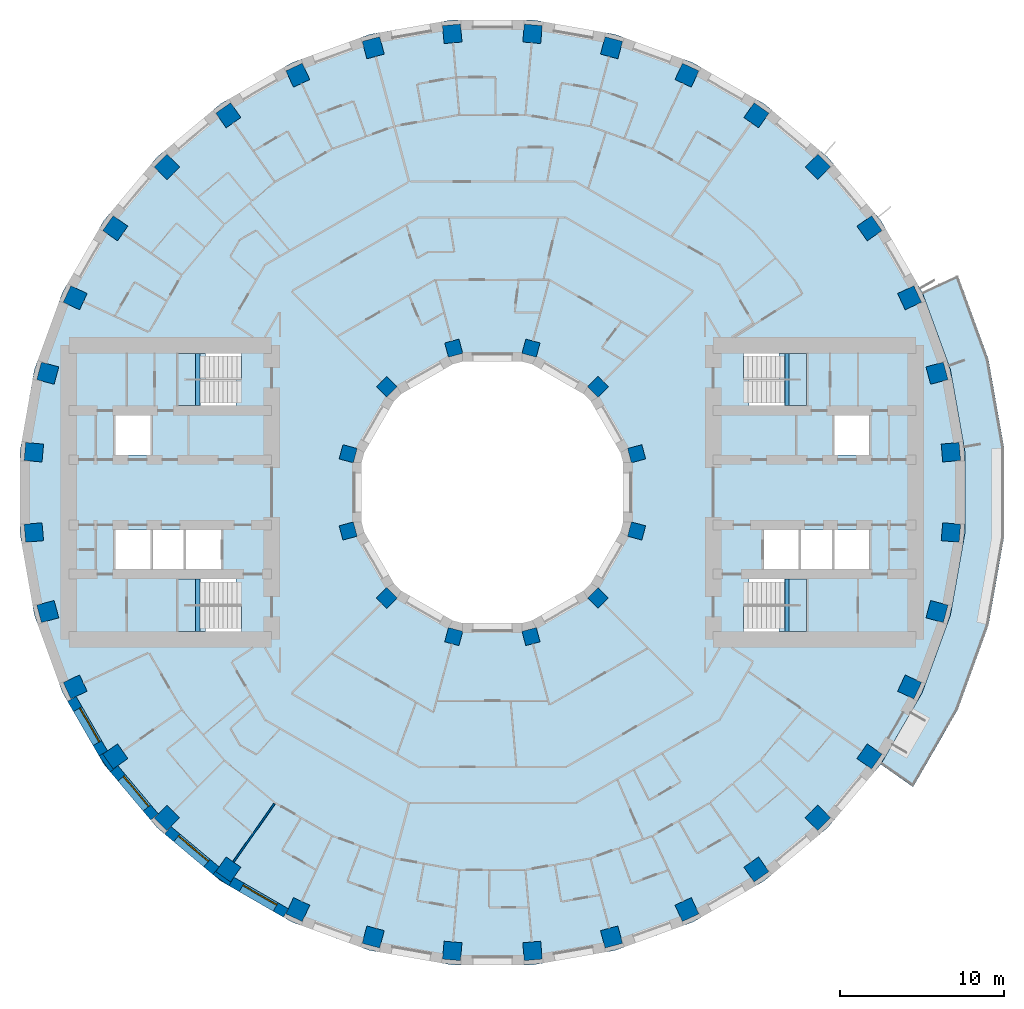
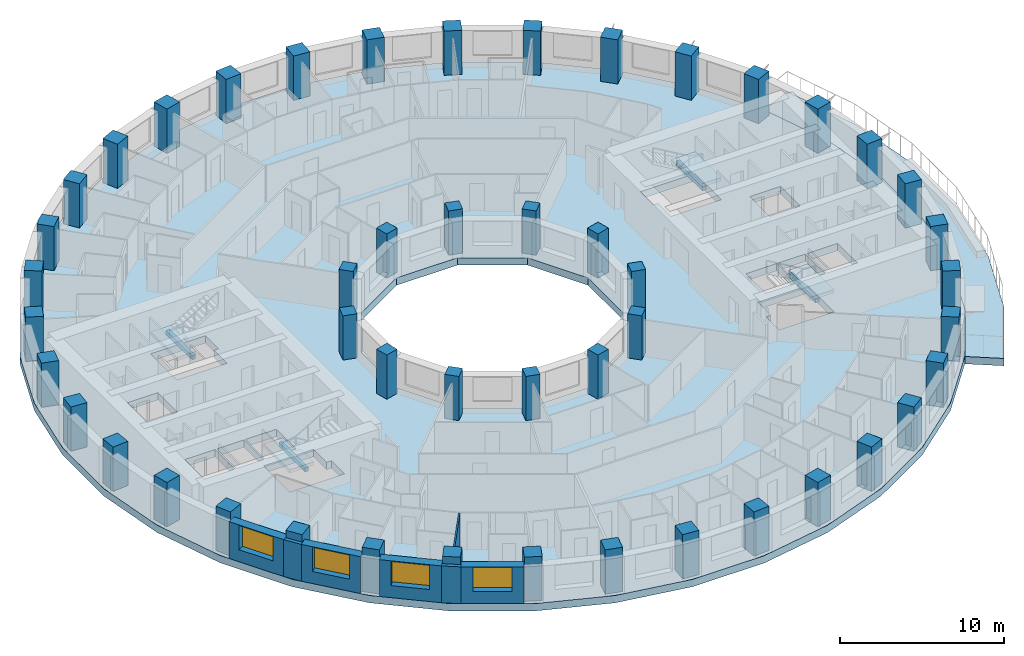
# One storey, part 1 of 14: 48 columns, 7 walls, 6 slabs, 4 beams, 4 windows, 4 openings, 4 elements without a shape of their own.
"""IFC4 building model written with IfcOpenShell, lengths in metres."""

from ifc_helpers import new_model, si_unit, direction, frame, frame_2d, origin, origin_2d, place, context, subcontext, project, spatial, polyline, rectangle, outline, extrude, material, layer, layer_set, material_profile, profile_set, type_object, element, fill, aggregate, save


model = new_model("IFC4")

# Units and contexts
model_context = context("Model", 3, precision=1e-05, world=origin(), true_north=direction((0.0, 1.0)))
body_context = subcontext(model_context, "Body", "Model", "MODEL_VIEW")
ifc_project = project(units=[si_unit("LENGTHUNIT", "METRE"), si_unit("AREAUNIT", "SQUARE_METRE"), si_unit("VOLUMEUNIT", "CUBIC_METRE"), si_unit("PLANEANGLEUNIT", "RADIAN"), si_unit("MASSUNIT", "GRAM", prefix="KILO")], contexts=[model_context])

# Site, building, storey
site_placement = place(None, origin())
site = spatial("IfcSite", under=ifc_project, at=site_placement, CompositionType="ELEMENT")
building_placement = place(site_placement, origin())
building = spatial("IfcBuilding", under=site, at=building_placement, Name="Saqina Gate Tower", CompositionType="ELEMENT")
storey_placement = place(building_placement, frame((0.0, 0.0, 52.699951171875)))
storey = spatial("IfcBuildingStorey", under=building, at=storey_placement, Name="L14", CompositionType="ELEMENT", Elevation=52.699951171875)

# Columns
ifc_material_1 = material(Name="Concrete C70/85", Category="concrete")
ifc_material_profile_1 = material_profile(ifc_material_1, rectangle(XDim=0.89990234375, YDim=0.89990234375, at=origin_2d()), Name="RC 900x900")
ifc_profile_set_1 = profile_set([ifc_material_profile_1], Name="Concrete C70/85")
column_type_1 = type_object("IfcColumnType", Name="STR-COL-IN-A", PredefinedType="COLUMN", material=ifc_profile_set_1)
for number, where, z_axis, x_axis, name in (
    (1, (8.821044921875, 2.363525390625, 0.0), (0.0, 0.0, 1.0), (0.965925826289, 0.258819045103, 0.0), "L14-ICL01"),
    (2, (6.45751953125, 6.45751953125, 0.0), (0.0, 0.0, 1.0), (0.707106781187, 0.707106781187, 0.0), "L14-ICL02"),
    (3, (2.363525390625, 8.821044921875, 0.0), (0.0, 0.0, 1.0), (0.258819045103, 0.965925826289, 0.0), "L14-ICL03"),
    (4, (-2.363525390625, 8.821044921875, 0.0), (0.0, 0.0, 1.0), (-0.258819045103, 0.965925826289, 0.0), "L14-ICL04"),
    (5, (-6.45751953125, 6.45751953125, 0.0), (0.0, 0.0, 1.0), (-0.707106781187, 0.707106781187, 0.0), "L14-ICL05"),
    (6, (-8.821044921875, 2.363525390625, 0.0), (0.0, 0.0, 1.0), (-0.965925826289, 0.258819045103, 0.0), "L14-ICL06"),
    (7, (-8.821044921875, -2.363525390625, 0.0), (0.0, 0.0, 1.0), (-0.965925826289, -0.258819045103, 0.0), "L14-ICL07"),
    (8, (-6.45751953125, -6.45751953125, 0.0), (0.0, 0.0, 1.0), (-0.707106781187, -0.707106781187, 0.0), "L14-ICL08"),
    (9, (-2.363525390625, -8.821044921875, 0.0), (0.0, 0.0, 1.0), (-0.258819045103, -0.965925826289, 0.0), "L14-ICL09"),
    (10, (2.363525390625, -8.821044921875, 0.0), (0.0, 0.0, 1.0), (0.258819045103, -0.965925826289, 0.0), "L14-ICL10"),
    (11, (6.45751953125, -6.45751953125, 0.0), (0.0, 0.0, 1.0), (0.707106781187, -0.707106781187, 0.0), "L14-ICL11"),
    (12, (8.821044921875, -2.363525390625, 0.0), (0.0, 0.0, 1.0), (0.965925826289, -0.258819045103, 0.0), "L14-ICL12"),
):
    element("IfcColumn", number, at=place(storey_placement, frame(where, z_axis=z_axis, x_axis=x_axis)), inside=storey, type_object=column_type_1, Name=name, PredefinedType="COLUMN", context=body_context, shape_type="SweptSolid", body=[
        extrude(rectangle(XDim=0.89990234375, YDim=0.89990234375, at=origin_2d()), origin(), (0.0, 0.0, 1.0), 3.300048828125),
    ])
ifc_material_2 = material(Name="Concrete C70/85", Category="concrete")
ifc_material_profile_2 = material_profile(ifc_material_2, rectangle(XDim=1.10009765625, YDim=1.10009765625, at=origin_2d()), Name="RC 1100x1100")
ifc_profile_set_2 = profile_set([ifc_material_profile_2], Name="Concrete C70/85")
column_type_2 = type_object("IfcColumnType", Name="STR-COL-OUT-A", PredefinedType="COLUMN", material=ifc_profile_set_2)
for number, where, z_axis, x_axis, name in (
    (13, (28.04296875, 2.453369140625, 0.0), (0.0, 0.0, 1.0), (0.996194698092, 0.087155742748, 0.0), "L14-COL01"),
    (14, (27.19091796875, 7.28564453125, 0.0), (0.0, 0.0, 1.0), (0.965925826289, 0.258819045103, 0.0), "L14-COL02"),
    (15, (25.512451171875, 11.896728515625, 0.0), (0.0, 0.0, 1.0), (0.906307787037, 0.422618261741, 0.0), "L14-COL03"),
    (16, (23.05908203125, 16.146240234375, 0.0), (0.0, 0.0, 1.0), (0.819152044289, 0.573576436351, 0.0), "L14-COL04"),
    (17, (19.905029296875, 19.905029296875, 0.0), (0.0, 0.0, 1.0), (0.707106781187, 0.707106781187, 0.0), "L14-COL05"),
    (18, (16.146240234375, 23.05908203125, 0.0), (0.0, 0.0, 1.0), (0.573576436351, 0.819152044289, 0.0), "L14-COL06"),
    (19, (11.896728515625, 25.512451171875, 0.0), (0.0, 0.0, 1.0), (0.422618261741, 0.906307787037, 0.0), "L14-COL07"),
    (20, (7.28564453125, 27.19091796875, 0.0), (0.0, 0.0, 1.0), (0.258819045103, 0.965925826289, 0.0), "L14-COL08"),
    (21, (2.453369140625, 28.04296875, 0.0), (0.0, 0.0, 1.0), (0.087155742748, 0.996194698092, 0.0), "L14-COL09"),
    (22, (-2.453369140625, 28.04296875, 0.0), (0.0, 0.0, 1.0), (-0.087155742748, 0.996194698092, 0.0), "L14-COL10"),
    (23, (-7.28564453125, 27.19091796875, 0.0), (0.0, 0.0, 1.0), (-0.258819045103, 0.965925826289, 0.0), "L14-COL11"),
    (24, (-11.896728515625, 25.512451171875, 0.0), (0.0, 0.0, 1.0), (-0.422618261741, 0.906307787037, 0.0), "L14-COL12"),
    (25, (-16.146240234375, 23.05908203125, 0.0), (0.0, 0.0, 1.0), (-0.573576436351, 0.819152044289, 0.0), "L14-COL13"),
    (26, (-19.905029296875, 19.905029296875, 0.0), (0.0, 0.0, 1.0), (-0.707106781187, 0.707106781187, 0.0), "L14-COL14"),
    (27, (-23.05908203125, 16.146240234375, 0.0), (0.0, 0.0, 1.0), (-0.819152044289, 0.573576436351, 0.0), "L14-COL15"),
    (28, (-25.512451171875, 11.896728515625, 0.0), (0.0, 0.0, 1.0), (-0.906307787037, 0.422618261741, 0.0), "L14-COL16"),
    (29, (-27.19091796875, 7.28564453125, 0.0), (0.0, 0.0, 1.0), (-0.965925826289, 0.258819045103, 0.0), "L14-COL17"),
    (30, (-28.04296875, 2.453369140625, 0.0), (0.0, 0.0, 1.0), (-0.996194698092, 0.087155742748, 0.0), "L14-COL18"),
    (31, (-28.04296875, -2.453369140625, 0.0), (0.0, 0.0, 1.0), (-0.996194698092, -0.087155742748, 0.0), "L14-COL19"),
    (32, (-27.19091796875, -7.28564453125, 0.0), (0.0, 0.0, 1.0), (-0.965925826289, -0.258819045103, 0.0), "L14-COL20"),
    (33, (-25.512451171875, -11.896728515625, 0.0), (0.0, 0.0, 1.0), (-0.906307787037, -0.422618261741, 0.0), "L14-COL21"),
    (34, (-23.05908203125, -16.146240234375, 0.0), (0.0, 0.0, 1.0), (-0.819152044289, -0.573576436351, 0.0), "L14-COL22"),
    (35, (-19.905029296875, -19.905029296875, 0.0), (0.0, 0.0, 1.0), (-0.707106781187, -0.707106781187, 0.0), "L14-COL23"),
    (36, (-16.146240234375, -23.05908203125, 0.0), (0.0, 0.0, 1.0), (-0.573576436351, -0.819152044289, 0.0), "L14-COL24"),
    (37, (-11.896728515625, -25.512451171875, 0.0), (0.0, 0.0, 1.0), (-0.422618261741, -0.906307787037, 0.0), "L14-COL25"),
    (38, (-7.28564453125, -27.19091796875, 0.0), (0.0, 0.0, 1.0), (-0.258819045103, -0.965925826289, 0.0), "L14-COL26"),
    (39, (-2.453369140625, -28.04296875, 0.0), (0.0, 0.0, 1.0), (-0.087155742748, -0.996194698092, 0.0), "L14-COL27"),
    (40, (2.453369140625, -28.04296875, 0.0), (0.0, 0.0, 1.0), (0.087155742748, -0.996194698092, 0.0), "L14-COL28"),
    (41, (7.28564453125, -27.19091796875, 0.0), (0.0, 0.0, 1.0), (0.258819045103, -0.965925826289, 0.0), "L14-COL29"),
    (42, (11.896728515625, -25.512451171875, 0.0), (0.0, 0.0, 1.0), (0.422618261741, -0.906307787037, 0.0), "L14-COL30"),
    (43, (16.146240234375, -23.05908203125, 0.0), (0.0, 0.0, 1.0), (0.573576436351, -0.819152044289, 0.0), "L14-COL31"),
    (44, (19.905029296875, -19.905029296875, 0.0), (0.0, 0.0, 1.0), (0.707106781187, -0.707106781187, 0.0), "L14-COL32"),
    (45, (23.05908203125, -16.146240234375, 0.0), (0.0, 0.0, 1.0), (0.819152044289, -0.573576436351, 0.0), "L14-COL33"),
    (46, (25.512451171875, -11.896728515625, 0.0), (0.0, 0.0, 1.0), (0.906307787037, -0.422618261741, 0.0), "L14-COL34"),
    (47, (27.19091796875, -7.28564453125, 0.0), (0.0, 0.0, 1.0), (0.965925826289, -0.258819045103, 0.0), "L14-COL35"),
    (48, (28.04296875, -2.453369140625, 0.0), (0.0, 0.0, 1.0), (0.996194698092, -0.087155742748, 0.0), "L14-COL36"),
):
    element("IfcColumn", number, at=place(storey_placement, frame(where, z_axis=z_axis, x_axis=x_axis)), inside=storey, type_object=column_type_2, Name=name, PredefinedType="COLUMN", context=body_context, shape_type="SweptSolid", body=[
        extrude(rectangle(XDim=1.10009765625, YDim=1.10009765625, at=origin_2d()), origin(), (0.0, 0.0, 1.0), 3.300048828125),
    ])

# Beams
ifc_material_3 = material(Name="Concrete C40/50", Category="concrete")
ifc_material_profile_3 = material_profile(ifc_material_3, rectangle(XDim=0.25, YDim=0.300048828125, at=origin_2d()), Name="STAIR LANDING BEAM")
ifc_profile_set_3 = profile_set([ifc_material_profile_3], Name="Concrete C40/50")
beam_type = type_object("IfcBeamType", Name="STAIR LANDING BEAM", PredefinedType="BEAM", material=ifc_profile_set_3)
for number, where, z_axis, x_axis, name in (
    (49, (18.02001953125, 5.300048828125, 1.25), (0.0, 1.0, 0.0), (-1.0, 0.0, 0.0), "EXIT STAIR 1 LANDING BEAM"),
    (50, (18.02001953125, -8.5, 1.25), (0.0, 1.0, 0.0), (-1.0, 0.0, 0.0), "EXIT STAIR 2 LANDING BEAM"),
    (51, (-18.02001953125, 5.300048828125, 1.25), (0.0, 1.0, 0.0), (-1.0, 0.0, 0.0), "EXIT STAIR 3 LANDING BEAM"),
    (52, (-18.02001953125, -8.5, 1.25), (0.0, 1.0, 0.0), (-1.0, 0.0, 0.0), "EXIT STAIR 4 LANDING BEAM"),
):
    element("IfcBeam", number, at=place(storey_placement, frame(where, z_axis=z_axis, x_axis=x_axis)), inside=storey, type_object=beam_type, Name=name, PredefinedType="BEAM", context=body_context, shape_type="SweptSolid", body=[
        extrude(rectangle(XDim=0.25, YDim=0.300048828125, at=origin_2d()), origin(), (0.0, 0.0, 1.0), 3.199951171875),
    ])

# Stair, slab
ifc_material_4 = material(Name="Concrete C40/50", Category="concrete")
stair_type = type_object("IfcStairType", Name="EXIT STAIR", PredefinedType="HALF_TURN_STAIR", material=ifc_material_4)
stair_1_placement = place(storey_placement, origin())
stair_1 = element("IfcStair", 53, at=stair_1_placement, inside=storey, type_object=stair_type, Name="EXIT STAIR 1", PredefinedType="HALF_TURN_STAIR")
ifc_material_5 = material(Name="Concrete C40/50", Category="concrete")
ifc_layer_1 = layer(ifc_material_5, 0.25)
ifc_layer_set_1 = layer_set([ifc_layer_1], Name="Concrete C40/50")
slab_type_1 = type_object("IfcSlabType", Name="EXIT STAIR LANDING", PredefinedType="LANDING", material=ifc_layer_set_1)
slab_1_placement = place(storey_placement, frame((0.0, 0.0, 1.400146484375)))
slab_1 = element("IfcSlab", 54, at=slab_1_placement, type_object=slab_type_1, Name="EXIT STAIR 1 LANDING 1", PredefinedType="LANDING", context=body_context, shape_type="SweptSolid", body=[
    extrude(outline(polyline([(19.219970703125, 8.5), (19.219970703125, 5.300048828125), (17.864990234375, 5.300048828125), (17.864990234375, 6.89990234375), (17.534423828125, 6.89990234375), (17.534423828125, 8.5), (17.864990234375, 8.5), (17.8701171875, 8.5), (19.219970703125, 8.5)])), origin(), (0.0, 0.0, 1.0), 0.25),
])
aggregate(stair_1, [slab_1])

stair_2_placement = place(storey_placement, origin())
stair_2 = element("IfcStair", 55, at=stair_2_placement, inside=storey, type_object=stair_type, Name="EXIT STAIR 2", PredefinedType="HALF_TURN_STAIR")
slab_2_placement = place(storey_placement, frame((0.0, 0.0, 1.400146484375)))
slab_2 = element("IfcSlab", 56, at=slab_2_placement, type_object=slab_type_1, Name="EXIT STAIR 2 LANDING 1", PredefinedType="LANDING", context=body_context, shape_type="SweptSolid", body=[
    extrude(outline(polyline([(17.534423828125, -8.5), (17.534423828125, -6.89990234375), (17.864990234375, -6.89990234375), (17.864990234375, -5.300048828125), (19.219970703125, -5.300048828125), (19.219970703125, -8.5), (17.8701171875, -8.5), (17.864990234375, -8.5), (17.534423828125, -8.5)])), origin(), (0.0, 0.0, 1.0), 0.25),
])
aggregate(stair_2, [slab_2])

stair_3_placement = place(storey_placement, origin())
stair_3 = element("IfcStair", 57, at=stair_3_placement, inside=storey, type_object=stair_type, Name="EXIT STAIR 3", PredefinedType="HALF_TURN_STAIR")
slab_3_placement = place(storey_placement, frame((0.0, 0.0, 1.400146484375)))
slab_3 = element("IfcSlab", 58, at=slab_3_placement, type_object=slab_type_1, Name="EXIT STAIR 3 LANDING 1", PredefinedType="LANDING", context=body_context, shape_type="SweptSolid", body=[
    extrude(outline(polyline([(-17.864990234375, 5.300048828125), (-19.219970703125, 5.300048828125), (-19.219970703125, 8.5), (-17.8701171875, 8.5), (-17.864990234375, 8.5), (-17.534423828125, 8.5), (-17.534423828125, 6.89990234375), (-17.864990234375, 6.89990234375), (-17.864990234375, 5.300048828125)])), origin(), (0.0, 0.0, 1.0), 0.25),
])
aggregate(stair_3, [slab_3])

stair_4_placement = place(storey_placement, origin())
stair_4 = element("IfcStair", 59, at=stair_4_placement, inside=storey, type_object=stair_type, Name="EXIT STAIR 4", PredefinedType="HALF_TURN_STAIR")
slab_4_placement = place(storey_placement, frame((0.0, 0.0, 1.400146484375)))
slab_4 = element("IfcSlab", 60, at=slab_4_placement, type_object=slab_type_1, Name="EXIT STAIR 4 LANDING 1", PredefinedType="LANDING", context=body_context, shape_type="SweptSolid", body=[
    extrude(outline(polyline([(-17.534423828125, -6.89990234375), (-17.534423828125, -8.5), (-17.864990234375, -8.5), (-17.8701171875, -8.5), (-19.219970703125, -8.5), (-19.219970703125, -5.300048828125), (-17.864990234375, -5.300048828125), (-17.864990234375, -6.89990234375), (-17.534423828125, -6.89990234375)])), origin(), (0.0, 0.0, 1.0), 0.25),
])
aggregate(stair_4, [slab_4])

# Slabs
ifc_material_6 = material(Name="Concrete C40/50", Category="concrete")
ifc_layer_2 = layer(ifc_material_6, 0.550048828125)
ifc_layer_set_2 = layer_set([ifc_layer_2], Name="Concrete C40/50")
slab_type_2 = type_object("IfcSlabType", Name="STR-POST-TENSIONED FLAT PLATE FLOOR-550", PredefinedType="FLOOR", material=ifc_layer_set_2)
slab_5_placement = place(storey_placement, frame((0.0, 0.0, -0.550048828125)))
element("IfcSlab", 61, at=slab_5_placement, inside=storey, type_object=slab_type_2, Name="L14-SLB01", PredefinedType="FLOOR", context=body_context, shape_type="SweptSolid", body=[
    extrude(outline(polyline([(28.011962890625, -7.505859375), (28.8896484375, -2.527587890625), (28.8896484375, 2.527587890625), (28.011962890625, 7.505859375), (26.282958984375, 12.255859375), (23.75537109375, 16.6337890625), (20.506103515625, 20.506103515625), (16.6337890625, 23.75537109375), (12.255859375, 26.282958984375), (7.505859375, 28.011962890625), (2.527587890625, 28.8896484375), (-2.527587890625, 28.8896484375), (-7.505859375, 28.011962890625), (-12.255859375, 26.282958984375), (-16.6337890625, 23.75537109375), (-20.506103515625, 20.506103515625), (-23.75537109375, 16.6337890625), (-26.282958984375, 12.255859375), (-28.011962890625, 7.505859375), (-28.8896484375, 2.527587890625), (-28.8896484375, -2.527587890625), (-28.011962890625, -7.505859375), (-26.282958984375, -12.255859375), (-23.75537109375, -16.6337890625), (-20.506103515625, -20.506103515625), (-16.6337890625, -23.75537109375), (-12.255859375, -26.282958984375), (-7.505859375, -28.011962890625), (-2.527587890625, -28.8896484375), (2.527587890625, -28.8896484375), (7.505859375, -28.011962890625), (12.255859375, -26.282958984375), (16.6337890625, -23.75537109375), (20.506103515625, -20.506103515625), (23.75537109375, -16.6337890625), (26.282958984375, -12.255859375), (28.011962890625, -7.505859375)]), holes=[polyline([(2.1435546875, 8.0), (5.8564453125, 5.8564453125), (8.0, 2.1435546875), (8.0, -2.1435546875), (5.8564453125, -5.8564453125), (2.1435546875, -8.0), (-2.1435546875, -8.0), (-5.8564453125, -5.8564453125), (-8.0, -2.1435546875), (-8.0, 2.1435546875), (-5.8564453125, 5.8564453125), (-2.1435546875, 8.0), (2.1435546875, 8.0)]), polyline([(-19.219970703125, -8.5), (-19.219970703125, -6.89990234375), (-19.219970703125, -5.300048828125), (-15.685546875, -5.300048828125), (-15.685546875, -6.89990234375), (-15.35498046875, -6.89990234375), (-15.35498046875, -8.5), (-19.219970703125, -8.5)]), polyline([(-20.89990234375, -2.300048828125), (-20.89990234375, -4.699951171875), (-23.06005859375, -4.699951171875), (-23.06005859375, -2.300048828125), (-20.89990234375, -2.300048828125)]), polyline([(-18.8701171875, -2.300048828125), (-18.8701171875, -4.699951171875), (-20.780029296875, -4.699951171875), (-20.780029296875, -2.300048828125), (-18.8701171875, -2.300048828125)]), polyline([(-16.590087890625, -2.300048828125), (-16.590087890625, -4.699951171875), (-18.75, -4.699951171875), (-18.75, -2.300048828125), (-16.590087890625, -2.300048828125)]), polyline([(-20.89990234375, 4.699951171875), (-20.89990234375, 2.300048828125), (-23.06005859375, 2.300048828125), (-23.06005859375, 4.699951171875), (-20.89990234375, 4.699951171875)]), polyline([(-19.219970703125, 6.89990234375), (-19.219970703125, 8.5), (-15.35498046875, 8.5), (-15.35498046875, 6.89990234375), (-15.685546875, 6.89990234375), (-15.685546875, 5.300048828125), (-19.219970703125, 5.300048828125), (-19.219970703125, 6.89990234375)]), polyline([(15.35498046875, -6.89990234375), (15.685546875, -6.89990234375), (15.685546875, -5.300048828125), (19.219970703125, -5.300048828125), (19.219970703125, -6.89990234375), (19.219970703125, -8.5), (15.35498046875, -8.5), (15.35498046875, -6.89990234375)]), polyline([(18.75, -2.300048828125), (18.75, -4.699951171875), (16.590087890625, -4.699951171875), (16.590087890625, -2.300048828125), (18.75, -2.300048828125)]), polyline([(20.780029296875, -2.300048828125), (20.780029296875, -4.699951171875), (18.8701171875, -4.699951171875), (18.8701171875, -2.300048828125), (20.780029296875, -2.300048828125)]), polyline([(23.06005859375, -2.300048828125), (23.06005859375, -4.699951171875), (20.89990234375, -4.699951171875), (20.89990234375, -2.300048828125), (23.06005859375, -2.300048828125)]), polyline([(23.06005859375, 4.699951171875), (23.06005859375, 2.300048828125), (20.89990234375, 2.300048828125), (20.89990234375, 4.699951171875), (23.06005859375, 4.699951171875)]), polyline([(15.685546875, 6.89990234375), (15.35498046875, 6.89990234375), (15.35498046875, 8.5), (19.219970703125, 8.5), (19.219970703125, 6.89990234375), (19.219970703125, 5.300048828125), (15.685546875, 5.300048828125), (15.685546875, 6.89990234375)])]), origin(), (0.0, 0.0, 1.0), 0.550048828125),
])
ifc_material_7 = material(Name="Concrete C40/50", Category="concrete")
ifc_layer_3 = layer(ifc_material_7, 0.550048828125)
ifc_layer_set_3 = layer_set([ifc_layer_3], Name="Concrete C40/50")
slab_type_3 = type_object("IfcSlabType", Name="STR-POST-TENSIONED FLAT PLATE TERRACE-550", PredefinedType="FLOOR", material=ifc_layer_set_3)
slab_6_placement = place(storey_placement, frame((0.0, 0.0, -0.550048828125)))
element("IfcSlab", 62, at=slab_6_placement, inside=storey, type_object=slab_type_3, Name="L14-TRS01", PredefinedType="FLOOR", context=body_context, shape_type="SweptSolid", body=[
    extrude(outline(polyline([(23.75537109375, -16.6337890625), (26.282958984375, -12.255859375), (28.011962890625, -7.505859375), (28.8896484375, -2.527587890625), (28.8896484375, 2.527587890625), (28.011962890625, 7.505859375), (26.282958984375, 12.255859375), (28.46630859375, 13.274169921875), (30.3388671875, 8.12939453125), (31.28955078125, 2.737548828125), (31.28955078125, -2.737548828125), (30.3388671875, -8.12939453125), (28.46630859375, -13.274169921875), (25.72900390625, -18.015625), (23.75537109375, -16.6337890625)])), origin(), (0.0, 0.0, 1.0), 0.550048828125),
])

# Walls
ifc_material_8 = material(Name="Brick masonry (red)", Category="masonry")
wall_type_1 = type_object("IfcWallType", Name="BRICK PIER COPING RED", PredefinedType="SOLIDWALL", material=ifc_material_8)
wall_1_placement = place(storey_placement, origin())
element("IfcWall", 63, at=wall_1_placement, inside=storey, type_object=wall_type_1, Name="Pier cap L14 column 22", PredefinedType="SOLIDWALL", context=body_context, shape_type="SweptSolid", body=[
    extrude(outline(polyline([(-24.0576171875, -16.110107421875), (-23.36669921875, -17.096923828125), (-22.9072265625, -16.711181640625), (-23.194091796875, -16.912109375), (-23.8251953125, -16.010986328125), (-23.5380859375, -15.81005859375), (-24.0576171875, -16.110107421875)])), origin(), (0.0, 0.0, 1.0), 2.75),
])
wall_2_placement = place(storey_placement, origin())
element("IfcWall", 64, at=wall_2_placement, inside=storey, type_object=wall_type_1, Name="Pier cap L14 column 24", PredefinedType="SOLIDWALL", context=body_context, shape_type="SweptSolid", body=[
    extrude(outline(polyline([(-17.096923828125, -23.36669921875), (-16.110107421875, -24.0576171875), (-15.81005859375, -23.5380859375), (-16.010986328125, -23.8251953125), (-16.912109375, -23.194091796875), (-16.711181640625, -22.9072265625), (-17.096923828125, -23.36669921875)])), origin(), (0.0, 0.0, 1.0), 2.75),
])

# Wall, opening, window
ifc_material_9 = material(Name="Brick masonry (red)", Category="masonry")
ifc_layer_4 = layer(ifc_material_9, 0.60009765625)
ifc_layer_set_4 = layer_set([ifc_layer_4], Name="FW-BRICK-RED")
wall_type_2 = type_object("IfcWallType", Name="FW-BRICK-RED", PredefinedType="SOLIDWALL", material=ifc_layer_set_4)
wall_3_placement = place(storey_placement, frame((-25.720703125, -12.629638671875, 0.0), z_axis=(0.0, 0.0, 1.0), x_axis=(0.499989888488, -0.86603124159, 0.0)))
wall_3 = element("IfcWall", 65, at=wall_3_placement, inside=storey, type_object=wall_type_2, Name="Facade wall L14 facet 21", PredefinedType="SOLIDWALL", context=body_context, shape_type="SweptSolid", body=[
    extrude(rectangle(XDim=3.845703125, YDim=0.60009765625, at=frame_2d((1.9228515625, 0.0))), origin(), (0.0, 0.0, 1.0), 2.75),
])
opening_1_placement = place(wall_3_placement, frame((0.722900390625, 0.0, 0.89990234375)))
opening_1 = element("IfcOpeningElement", 66, at=opening_1_placement, cuts=wall_3, Name="Opening G03-W14", PredefinedType="OPENING", context=body_context, shape_type="SweptSolid", body=[
    extrude(rectangle(XDim=2.39990234375, YDim=1.800048828125, at=frame_2d((1.199951171875, 0.89990234375))), frame((0.0, 0.31201171875, 0.0), z_axis=(0.0, -1.0, 0.0), x_axis=(1.0, 0.0, 0.0)), (0.0, 0.0, 1.0), 0.6240234375),
])
ifc_material_10 = material(Name="Aluminium glazing", Category="aluminium")
window_type = type_object("IfcWindowType", Name="WN-A", PartitioningType="SINGLE_PANEL", PredefinedType="WINDOW", material=ifc_material_10)
window_1_placement = place(opening_1_placement, origin())
window_1 = element("IfcWindow", 67, at=window_1_placement, inside=storey, type_object=window_type, Name="Window L14 facet 21", OverallHeight=1.800048828125, OverallWidth=2.39990234375, PartitioningType="SINGLE_PANEL", PredefinedType="WINDOW", context=body_context, shape_type="SweptSolid", body=[
    extrude(rectangle(XDim=2.39990234375, YDim=1.800048828125, at=frame_2d((1.199951171875, 0.89990234375))), frame((0.0, 0.179931640625, 0.0), z_axis=(0.0, -1.0, 0.0), x_axis=(1.0, 0.0, 0.0)), (0.0, 0.0, 1.0), 0.06005859375),
])
fill(opening_1, window_1)

wall_4_placement = place(storey_placement, frame((-23.136962890625, -16.904052734375, 0.0), z_axis=(0.0, 0.0, 1.0), x_axis=(0.642809392687, -0.766026164483, 0.0)))
wall_4 = element("IfcWall", 68, at=wall_4_placement, inside=storey, type_object=wall_type_2, Name="Facade wall L14 facet 22", PredefinedType="SOLIDWALL", context=body_context, shape_type="SweptSolid", body=[
    extrude(rectangle(XDim=3.845947265625, YDim=0.60009765625, at=frame_2d((1.9228515625, 0.0))), origin(), (0.0, 0.0, 1.0), 2.75),
])
opening_2_placement = place(wall_4_placement, frame((0.722900390625, 0.0, 0.89990234375)))
opening_2 = element("IfcOpeningElement", 69, at=opening_2_placement, cuts=wall_4, Name="Opening G03-W15", PredefinedType="OPENING", context=body_context, shape_type="SweptSolid", body=[
    extrude(rectangle(XDim=2.39990234375, YDim=1.800048828125, at=frame_2d((1.199951171875, 0.89990234375))), frame((0.0, 0.31201171875, 0.0), z_axis=(0.0, -1.0, 0.0), x_axis=(1.0, 0.0, 0.0)), (0.0, 0.0, 1.0), 0.6240234375),
])
window_2_placement = place(opening_2_placement, origin())
window_2 = element("IfcWindow", 70, at=window_2_placement, inside=storey, type_object=window_type, Name="Window L14 facet 22", OverallHeight=1.800048828125, OverallWidth=2.39990234375, PartitioningType="SINGLE_PANEL", PredefinedType="WINDOW", context=body_context, shape_type="SweptSolid", body=[
    extrude(rectangle(XDim=2.39990234375, YDim=1.800048828125, at=frame_2d((1.199951171875, 0.89990234375))), frame((0.0, 0.179931640625, 0.0), z_axis=(0.0, -1.0, 0.0), x_axis=(1.0, 0.0, 0.0)), (0.0, 0.0, 1.0), 0.06005859375),
])
fill(opening_2, window_2)

wall_5_placement = place(storey_placement, frame((-19.85009765625, -20.664794921875, 0.0), z_axis=(0.0, 0.0, 1.0), x_axis=(0.766026164483, -0.642809392687, 0.0)))
wall_5 = element("IfcWall", 71, at=wall_5_placement, inside=storey, type_object=wall_type_2, Name="Facade wall L14 facet 23", PredefinedType="SOLIDWALL", context=body_context, shape_type="SweptSolid", body=[
    extrude(rectangle(XDim=3.845947265625, YDim=0.60009765625, at=frame_2d((1.9228515625, 0.0))), origin(), (0.0, 0.0, 1.0), 2.75),
])
opening_3_placement = place(wall_5_placement, frame((0.722900390625, 0.0, 0.89990234375)))
opening_3 = element("IfcOpeningElement", 72, at=opening_3_placement, cuts=wall_5, Name="Opening G03-W16", PredefinedType="OPENING", context=body_context, shape_type="SweptSolid", body=[
    extrude(rectangle(XDim=2.39990234375, YDim=1.800048828125, at=frame_2d((1.199951171875, 0.89990234375))), frame((0.0, 0.31201171875, 0.0), z_axis=(0.0, -1.0, 0.0), x_axis=(1.0, 0.0, 0.0)), (0.0, 0.0, 1.0), 0.6240234375),
])
window_3_placement = place(opening_3_placement, origin())
window_3 = element("IfcWindow", 73, at=window_3_placement, inside=storey, type_object=window_type, Name="Window L14 facet 23", OverallHeight=1.800048828125, OverallWidth=2.39990234375, PartitioningType="SINGLE_PANEL", PredefinedType="WINDOW", context=body_context, shape_type="SweptSolid", body=[
    extrude(rectangle(XDim=2.39990234375, YDim=1.800048828125, at=frame_2d((1.199951171875, 0.89990234375))), frame((0.0, 0.179931640625, 0.0), z_axis=(0.0, -1.0, 0.0), x_axis=(1.0, 0.0, 0.0)), (0.0, 0.0, 1.0), 0.06005859375),
])
fill(opening_3, window_3)

wall_6_placement = place(storey_placement, frame((-15.960205078125, -23.7978515625, 0.0), z_axis=(0.0, 0.0, 1.0), x_axis=(0.86603124159, -0.499989888488, 0.0)))
wall_6 = element("IfcWall", 74, at=wall_6_placement, inside=storey, type_object=wall_type_2, Name="Facade wall L14 facet 24", PredefinedType="SOLIDWALL", context=body_context, shape_type="SweptSolid", body=[
    extrude(rectangle(XDim=3.845703125, YDim=0.60009765625, at=frame_2d((1.9228515625, 0.0))), origin(), (0.0, 0.0, 1.0), 2.75),
])
opening_4_placement = place(wall_6_placement, frame((0.722900390625, 0.0, 0.89990234375)))
opening_4 = element("IfcOpeningElement", 75, at=opening_4_placement, cuts=wall_6, Name="Opening G03-W17", PredefinedType="OPENING", context=body_context, shape_type="SweptSolid", body=[
    extrude(rectangle(XDim=2.39990234375, YDim=1.800048828125, at=frame_2d((1.199951171875, 0.89990234375))), frame((0.0, 0.31201171875, 0.0), z_axis=(0.0, -1.0, 0.0), x_axis=(1.0, 0.0, 0.0)), (0.0, 0.0, 1.0), 0.6240234375),
])
window_4_placement = place(opening_4_placement, origin())
window_4 = element("IfcWindow", 76, at=window_4_placement, inside=storey, type_object=window_type, Name="Window L14 facet 24", OverallHeight=1.800048828125, OverallWidth=2.39990234375, PartitioningType="SINGLE_PANEL", PredefinedType="WINDOW", context=body_context, shape_type="SweptSolid", body=[
    extrude(rectangle(XDim=2.39990234375, YDim=1.800048828125, at=frame_2d((1.199951171875, 0.89990234375))), frame((0.0, 0.179931640625, 0.0), z_axis=(0.0, -1.0, 0.0), x_axis=(1.0, 0.0, 0.0)), (0.0, 0.0, 1.0), 0.06005859375),
])
fill(opening_4, window_4)

# Wall
ifc_material_11 = material(Name="Gypsum board on steel studs, 100 mm", Category="steel")
ifc_layer_5 = layer(ifc_material_11, 0.10009765625)
ifc_layer_set_5 = layer_set([ifc_layer_5], Name="PARTITION 100")
wall_type_3 = type_object("IfcWallType", Name="PARTITION 100", PredefinedType="PARTITIONING", material=ifc_layer_set_5)
wall_7_placement = place(storey_placement, frame((-15.829345703125, -22.597412109375, 0.0), z_axis=(0.0, 0.0, 1.0), x_axis=(0.574588030597, 0.818442786696, 0.0)))
element("IfcWall", 77, at=wall_7_placement, inside=storey, type_object=wall_type_3, Name="PARTITION PW3-106", PredefinedType="PARTITIONING", context=body_context, shape_type="SweptSolid", body=[
    extrude(rectangle(XDim=4.35009765625, YDim=0.10009765625, at=frame_2d((2.175048828125, 0.0))), origin(), (0.0, 0.0, 1.0), 2.75),
])

save(model, "model.ifc")
